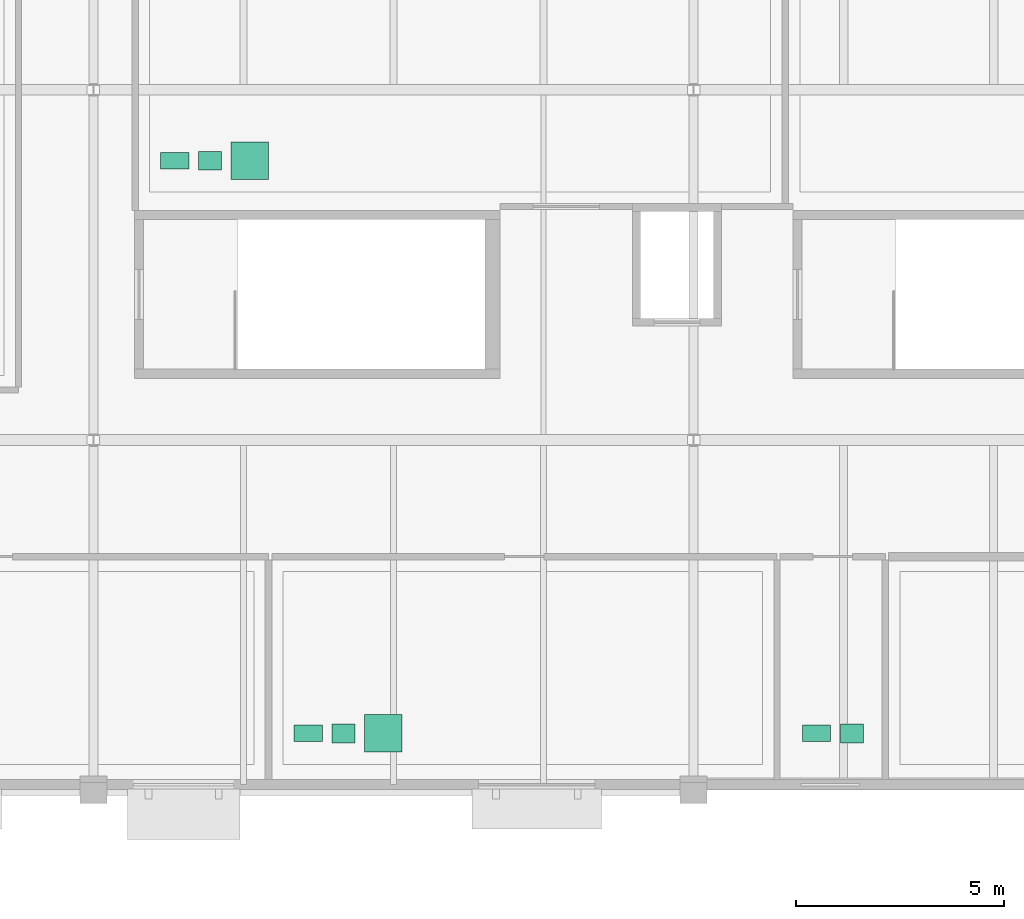
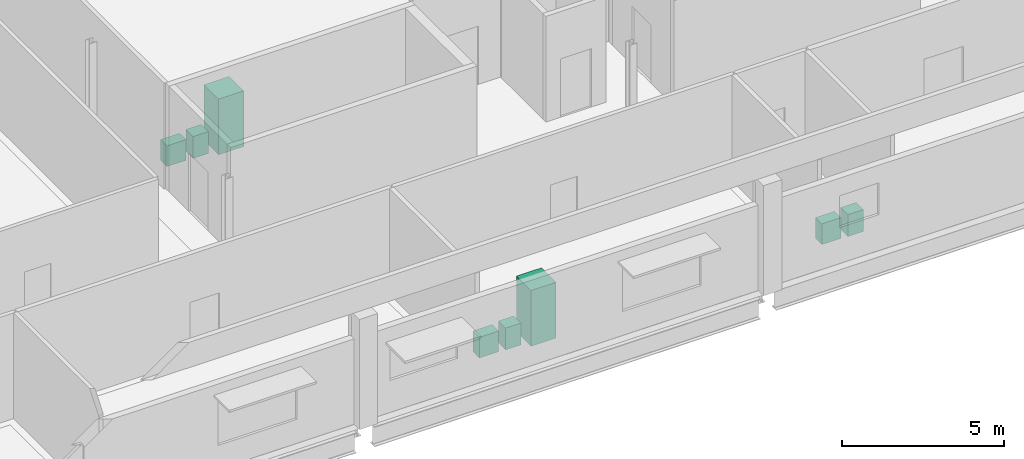
# One storey, part 43 of 43: 8 sanitary terminals.
"""IFC4 building model written with IfcOpenShell, lengths in metres."""

from ifc_helpers import new_model, si_unit, direction, frame, origin, origin_2d, place, context, subcontext, project, spatial, rectangle, extrude, material, type_object, element, save


model = new_model("IFC4")

# Units and contexts
model_context = context("Model", 3, precision=1e-05, world=origin(), true_north=direction((0.0, 1.0)))
body_context = subcontext(model_context, "Body", "Model", "MODEL_VIEW")
ifc_project = project(units=[si_unit("LENGTHUNIT", "METRE"), si_unit("AREAUNIT", "SQUARE_METRE"), si_unit("VOLUMEUNIT", "CUBIC_METRE"), si_unit("PLANEANGLEUNIT", "RADIAN"), si_unit("MASSUNIT", "GRAM", prefix="KILO"), si_unit("THERMODYNAMICTEMPERATUREUNIT", "KELVIN")], contexts=[model_context])

# Site, building, storey
site_placement = place(None, origin())
site = spatial("IfcSite", under=ifc_project, at=site_placement, CompositionType="ELEMENT")
building_placement = place(site_placement, origin())
building = spatial("IfcBuilding", under=site, at=building_placement, Name="Nduvali Passage Aquatics Centre", CompositionType="ELEMENT")
storey_placement = place(building_placement, frame((0.0, 0.0, 17.39990234375)))
storey = spatial("IfcBuildingStorey", under=building, at=storey_placement, Name="L04", CompositionType="ELEMENT", Elevation=17.39990234375)

# Sanitary terminals
ifc_material_1 = material(Name="Vitreous china sanitaryware")
sanitary_terminal_type_1 = type_object("IfcSanitaryTerminalType", Name="MEP-SAN-BAS", PredefinedType="WASHHANDBASIN", material=ifc_material_1)
for number, where, z_axis, x_axis, name in (
    (1, (100.0, 107.5, 0.0), (0.0, 0.0, 1.0), (1.0, 0.0, 0.0), "L04 Contrast Hydro-Thermal Plunge and Sauna Suite Washbasin"),
    (2, (103.199951171875, 93.760009765625, 0.0), (0.0, 0.0, 1.0), (1.0, 0.0, 0.0), "L04 L04 Wellness Toilets and Changing Washbasin"),
    (3, (115.39990234375, 93.760009765625, 0.0), (0.0, 0.0, 1.0), (1.0, 0.0, 0.0), "L04 L04 Accessible WC Washbasin"),
):
    element("IfcSanitaryTerminal", number, at=place(storey_placement, frame(where, z_axis=z_axis, x_axis=x_axis)), inside=storey, type_object=sanitary_terminal_type_1, Name=name, PredefinedType="WASHHANDBASIN", context=body_context, shape_type="SweptSolid", body=[
        extrude(rectangle(XDim=0.550048828125, YDim=0.449951171875, at=origin_2d()), origin(), (0.0, 0.0, 1.0), 0.820068359375),
    ])
ifc_material_2 = material(Name="Stainless steel shower unit", Category="steel")
sanitary_terminal_type_2 = type_object("IfcSanitaryTerminalType", Name="MEP-SAN-SHW", PredefinedType="SHOWER", material=ifc_material_2)
for number, where, z_axis, x_axis, name in (
    (4, (100.949951171875, 107.5, 0.0), (0.0, 0.0, 1.0), (1.0, 0.0, 0.0), "L04 Contrast Hydro-Thermal Plunge and Sauna Suite Shower Unit"),
    (5, (104.14990234375, 93.760009765625, 0.0), (0.0, 0.0, 1.0), (1.0, 0.0, 0.0), "L04 L04 Wellness Toilets and Changing Shower Unit"),
):
    element("IfcSanitaryTerminal", number, at=place(storey_placement, frame(where, z_axis=z_axis, x_axis=x_axis)), inside=storey, type_object=sanitary_terminal_type_2, Name=name, PredefinedType="SHOWER", context=body_context, shape_type="SweptSolid", body=[
        extrude(rectangle(XDim=0.89990234375, YDim=0.89990234375, at=origin_2d()), origin(), (0.0, 0.0, 1.0), 2.10009765625),
    ])
sanitary_terminal_type_3 = type_object("IfcSanitaryTerminalType", Name="MEP-SAN-WC", PredefinedType="TOILETPAN", material=ifc_material_1)
for number, where, z_axis, x_axis, name in (
    (6, (99.14990234375, 107.5, 0.0), (0.0, 0.0, 1.0), (1.0, 0.0, 0.0), "L04 Contrast Hydro-Thermal Plunge and Sauna Suite WC Pan"),
    (7, (102.35009765625, 93.760009765625, 0.0), (0.0, 0.0, 1.0), (1.0, 0.0, 0.0), "L04 L04 Wellness Toilets and Changing WC Pan"),
    (8, (114.550048828125, 93.760009765625, 0.0), (0.0, 0.0, 1.0), (1.0, 0.0, 0.0), "L04 L04 Accessible WC WC Pan"),
):
    element("IfcSanitaryTerminal", number, at=place(storey_placement, frame(where, z_axis=z_axis, x_axis=x_axis)), inside=storey, type_object=sanitary_terminal_type_3, Name=name, PredefinedType="TOILETPAN", context=body_context, shape_type="SweptSolid", body=[
        extrude(rectangle(XDim=0.679931640625, YDim=0.39990234375, at=origin_2d()), origin(), (0.0, 0.0, 1.0), 0.780029296875),
    ])

save(model, "model.ifc")
